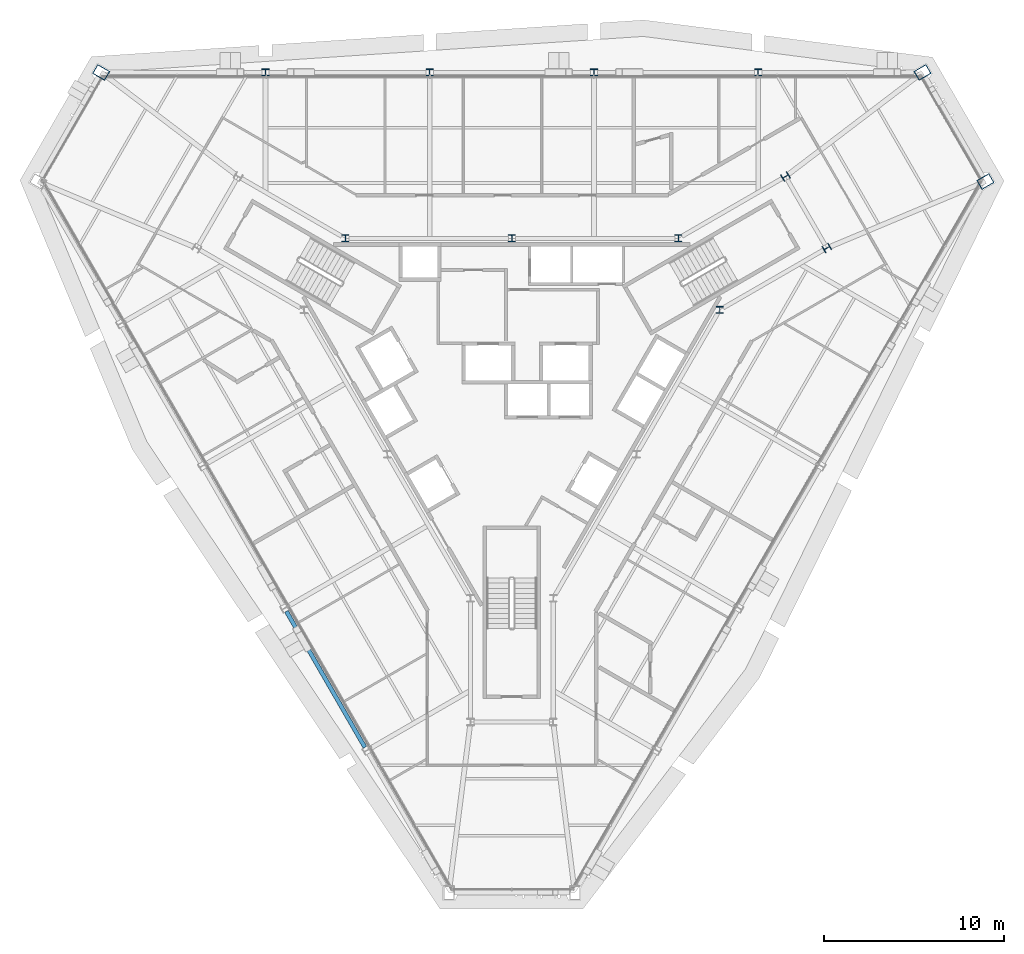
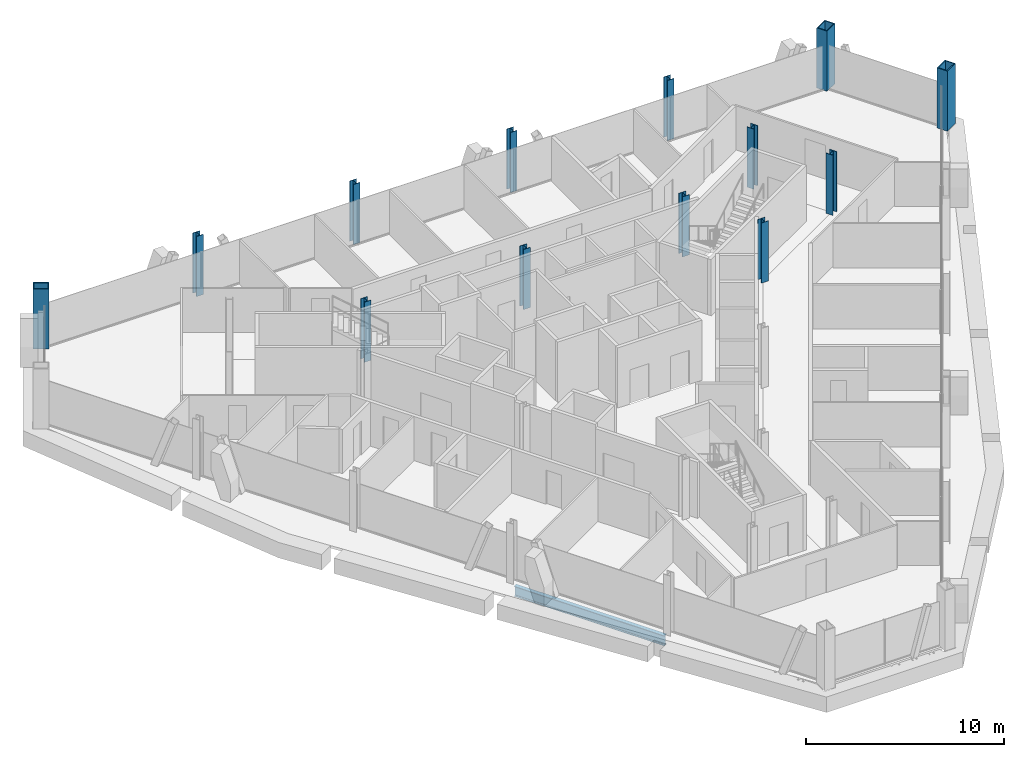
# One storey, part 2 of 15: 13 columns, 1 beam.
"""IFC4 building model written with IfcOpenShell, lengths in metres."""

from ifc_helpers import new_model, si_unit, direction, frame, origin, origin_2d, place, context, subcontext, project, spatial, hollow_rectangle, i_section, extrude, material, material_profile, profile_set, type_object, element, save


model = new_model("IFC4")

# Units and contexts
model_context = context("Model", 3, precision=1e-05, world=origin(), true_north=direction((0.0, 1.0)))
body_context = subcontext(model_context, "Body", "Model", "MODEL_VIEW")
ifc_project = project(units=[si_unit("LENGTHUNIT", "METRE"), si_unit("AREAUNIT", "SQUARE_METRE"), si_unit("VOLUMEUNIT", "CUBIC_METRE"), si_unit("PLANEANGLEUNIT", "RADIAN"), si_unit("MASSUNIT", "GRAM", prefix="KILO")], contexts=[model_context])

# Site, building, storey
site_placement = place(None, origin())
site = spatial("IfcSite", under=ifc_project, at=site_placement, CompositionType="ELEMENT")
building_placement = place(site_placement, origin())
building = spatial("IfcBuilding", under=site, at=building_placement, Name="Verrane Prism Tower", CompositionType="ELEMENT")
storey_placement = place(building_placement, frame((0.0, 0.0, 250.800048828125)))
storey = spatial("IfcBuildingStorey", under=building, at=storey_placement, Name="L63", CompositionType="ELEMENT", Elevation=250.800048828125)

# Columns
ifc_material_1 = material(Name="Steel A992", Category="steel")
ifc_material_profile_1 = material_profile(ifc_material_1, i_section(OverallWidth=0.4013671875, OverallDepth=0.398681640625, WebThickness=0.02490234375, FlangeThickness=0.03955078125, FilletRadius=0.01513671875, at=origin_2d()), Name="W14x211")
ifc_profile_set_1 = profile_set([ifc_material_profile_1], Name="Steel A992")
column_type_1 = type_object("IfcColumnType", Name="Core corner column W14x211", PredefinedType="COLUMN", material=ifc_profile_set_1)
for number, where, z_axis, x_axis, name in (
    (1, (17.52001953125, 7.4599609375, 0.0), (0.0, 0.0, 1.0), (0.5, -0.866025403784, 0.0), "Core corner column CK-NEm L63"),
    (2, (15.219970703125, 11.43994140625, 0.0), (0.0, 0.0, 1.0), (0.5, -0.866025403784, 0.0), "Core corner column CK-NEp L63"),
):
    element("IfcColumn", number, at=place(storey_placement, frame(where, z_axis=z_axis, x_axis=x_axis)), inside=storey, type_object=column_type_1, Name=name, PredefinedType="COLUMN", context=body_context, shape_type="SweptSolid", body=[
        extrude(i_section(OverallWidth=0.4013671875, OverallDepth=0.398681640625, WebThickness=0.02490234375, FlangeThickness=0.03955078125, FilletRadius=0.01513671875, at=origin_2d()), origin(), (0.0, 0.0, 1.0), 3.699951171875),
    ])
ifc_material_2 = material(Name="Steel A992", Category="steel")
ifc_material_profile_2 = material_profile(ifc_material_2, i_section(OverallWidth=0.398681640625, OverallDepth=0.385986328125, WebThickness=0.02099609375, FlangeThickness=0.033203125, FilletRadius=0.01513671875, at=origin_2d()), Name="W14x176")
ifc_profile_set_2 = profile_set([ifc_material_profile_2], Name="Steel A992")
column_type_2 = type_object("IfcColumnType", Name="Core side column W14x176", PredefinedType="COLUMN", material=ifc_profile_set_2)
for number, where, z_axis, x_axis, name in (
    (3, (11.56005859375, 4.02001953125, 0.0), (0.0, 0.0, 1.0), (1.0, 0.0, 0.0), "Core side column CC-NEm L63"),
    (4, (9.260009765625, 8.0, 0.0), (0.0, 0.0, 1.0), (1.0, 0.0, 0.0), "Core side column CC-NEp L63"),
    (5, (0.0, 8.0, 0.0), (0.0, 0.0, 1.0), (1.0, 0.0, 0.0), "Core side column CC-N0 L63"),
    (6, (-9.260009765625, 8.0, 0.0), (0.0, 0.0, 1.0), (1.0, 0.0, 0.0), "Core side column CC-NWm L63"),
):
    element("IfcColumn", number, at=place(storey_placement, frame(where, z_axis=z_axis, x_axis=x_axis)), inside=storey, type_object=column_type_2, Name=name, PredefinedType="COLUMN", context=body_context, shape_type="SweptSolid", body=[
        extrude(i_section(OverallWidth=0.398681640625, OverallDepth=0.385986328125, WebThickness=0.02099609375, FlangeThickness=0.033203125, FilletRadius=0.01513671875, at=origin_2d()), origin(), (0.0, 0.0, 1.0), 3.699951171875),
    ])
ifc_material_3 = material(Name="Steel A572 Grade 50", Category="steel")
ifc_material_profile_3 = material_profile(ifc_material_3, hollow_rectangle(XDim=0.60009765625, YDim=0.800048828125, WallThickness=0.050048828125, at=origin_2d()), Name="BOX 800x600x50")
ifc_profile_set_3 = profile_set([ifc_material_profile_3], Name="Steel A572 Grade 50")
column_type_3 = type_object("IfcColumnType", Name="Megacolumn BOX 800x600x50", PredefinedType="COLUMN", material=ifc_profile_set_3)
for number, where, z_axis, x_axis, name in (
    (7, (22.840087890625, 17.22998046875, 0.0), (0.0, 0.0, 1.0), (0.5, -0.866025403784, 0.0), "Megacolumn MC-NE.b L63"),
    (8, (-22.840087890625, 17.22998046875, 0.0), (0.0, 0.0, 1.0), (0.5, 0.866025403784, 0.0), "Megacolumn MC-NW.a L63"),
    (9, (26.340087890625, 11.159912109375, 0.0), (0.0, 0.0, 1.0), (0.5, -0.866025403784, 0.0), "Megacolumn MC-NE.a L63"),
):
    element("IfcColumn", number, at=place(storey_placement, frame(where, z_axis=z_axis, x_axis=x_axis)), inside=storey, type_object=column_type_3, Name=name, PredefinedType="COLUMN", context=body_context, shape_type="SweptSolid", body=[
        extrude(hollow_rectangle(XDim=0.60009765625, YDim=0.800048828125, WallThickness=0.050048828125, at=origin_2d()), origin(), (0.0, 0.0, 1.0), 3.699951171875),
    ])
ifc_material_4 = material(Name="Steel A992", Category="steel")
ifc_material_profile_4 = material_profile(ifc_material_4, i_section(OverallWidth=0.398681640625, OverallDepth=0.385986328125, WebThickness=0.02099609375, FlangeThickness=0.033203125, FilletRadius=0.01513671875, at=origin_2d()), Name="W14x176")
ifc_profile_set_4 = profile_set([ifc_material_profile_4], Name="Steel A992")
column_type_4 = type_object("IfcColumnType", Name="Perimeter column W14x176", PredefinedType="COLUMN", material=ifc_profile_set_4)
for number, where, z_axis, x_axis, name in (
    (10, (13.699951171875, 17.22998046875, 0.0), (0.0, 0.0, 1.0), (1.0, 0.0, 0.0), "Perimeter column PC-N1 L63"),
    (11, (4.570068359375, 17.22998046875, 0.0), (0.0, 0.0, 1.0), (1.0, 0.0, 0.0), "Perimeter column PC-N2 L63"),
    (12, (-4.570068359375, 17.22998046875, 0.0), (0.0, 0.0, 1.0), (1.0, 0.0, 0.0), "Perimeter column PC-N3 L63"),
    (13, (-13.699951171875, 17.22998046875, 0.0), (0.0, 0.0, 1.0), (1.0, 0.0, 0.0), "Perimeter column PC-N4 L63"),
):
    element("IfcColumn", number, at=place(storey_placement, frame(where, z_axis=z_axis, x_axis=x_axis)), inside=storey, type_object=column_type_4, Name=name, PredefinedType="COLUMN", context=body_context, shape_type="SweptSolid", body=[
        extrude(i_section(OverallWidth=0.398681640625, OverallDepth=0.385986328125, WebThickness=0.02099609375, FlangeThickness=0.033203125, FilletRadius=0.01513671875, at=origin_2d()), origin(), (0.0, 0.0, 1.0), 3.699951171875),
    ])

# Beam
ifc_material_5 = material(Name="Steel A992", Category="steel")
ifc_material_profile_5 = material_profile(ifc_material_5, i_section(OverallWidth=0.23046875, OverallDepth=0.6171875, WebThickness=0.01318359375, FlangeThickness=0.022216796875, FilletRadius=0.012939453125, at=origin_2d()), Name="W24x94")
ifc_profile_set_5 = profile_set([ifc_material_profile_5], Name="Steel A992")
beam_type = type_object("IfcBeamType", Name="Spandrel beam W24x94", PredefinedType="SPANDREL", material=ifc_profile_set_5)
beam_placement = place(storey_placement, frame((-12.540283203125, -12.74267578125, -0.46875), z_axis=(0.500268286352, -0.865870453169, 0.0), x_axis=(0.865870453169, 0.500268286352, 0.0)))
element("IfcBeam", 14, at=beam_placement, inside=storey, type_object=beam_type, Name="Spandrel beam L63", PredefinedType="SPANDREL", context=body_context, shape_type="SweptSolid", body=[
    extrude(i_section(OverallWidth=0.23046875, OverallDepth=0.6171875, WebThickness=0.01318359375, FlangeThickness=0.022216796875, FilletRadius=0.012939453125, at=origin_2d()), origin(), (0.0, 0.0, 1.0), 8.736572265625),
])

save(model, "model.ifc")
